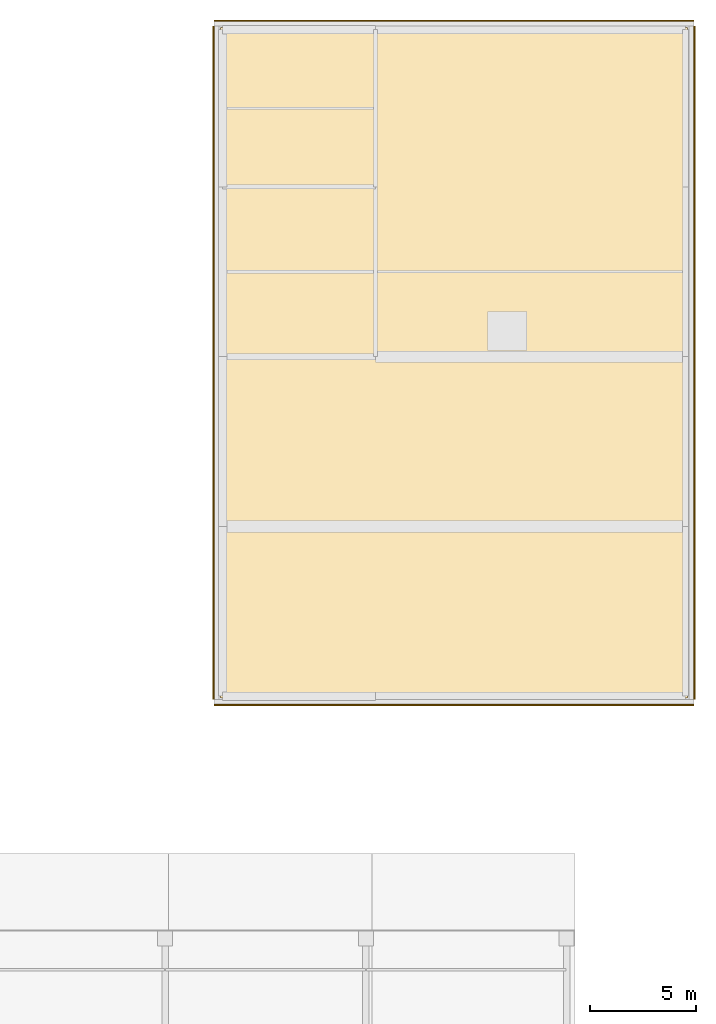
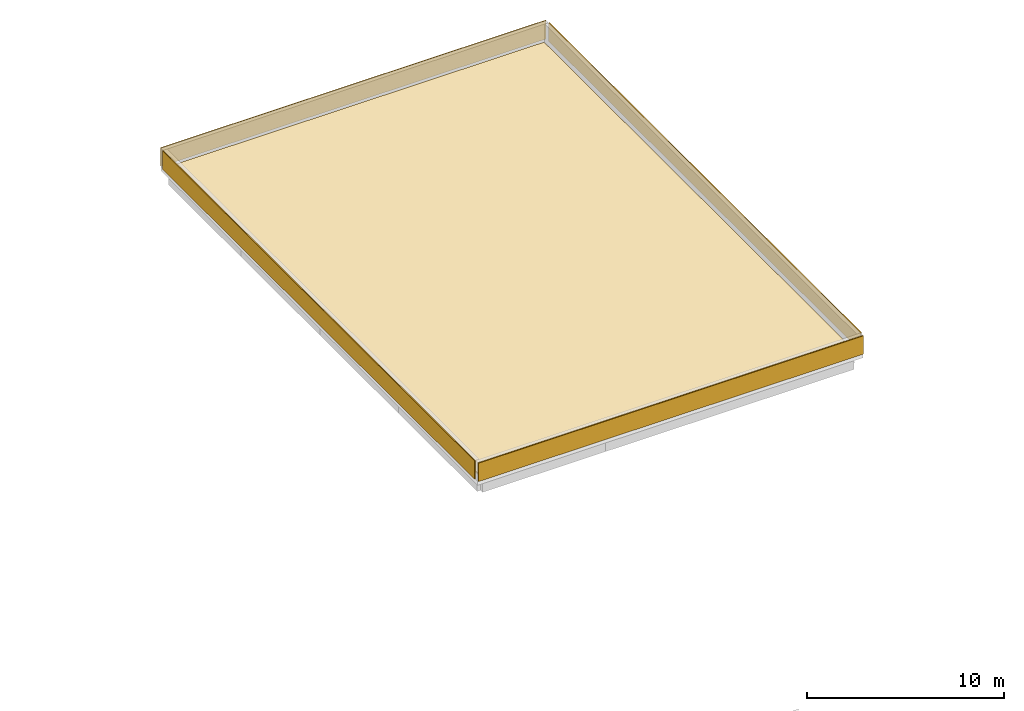
# One storey, part 3 of 3: 5 coverings.
"""IFC4 building model written with IfcOpenShell, lengths in metres."""

from ifc_helpers import new_model, si_unit, direction, frame, origin, origin_2d, place, context, subcontext, project, spatial, polyline, rectangle, outline, extrude, material, layer, layer_set, type_object, element, save


model = new_model("IFC4")

# Units and contexts
model_context = context("Model", 3, precision=1e-05, world=origin(), true_north=direction((0.0, 1.0)))
body_context = subcontext(model_context, "Body", "Model", "MODEL_VIEW")
ifc_project = project(units=[si_unit("LENGTHUNIT", "METRE"), si_unit("AREAUNIT", "SQUARE_METRE"), si_unit("VOLUMEUNIT", "CUBIC_METRE"), si_unit("PLANEANGLEUNIT", "RADIAN"), si_unit("MASSUNIT", "GRAM", prefix="KILO")], contexts=[model_context])

# Site, building, storey
site_placement = place(None, origin())
site = spatial("IfcSite", under=ifc_project, at=site_placement, CompositionType="ELEMENT")
building_placement = place(site_placement, origin())
building = spatial("IfcBuilding", under=site, at=building_placement, Name="Qalavern Law Courts", CompositionType="ELEMENT")
storey_placement = place(building_placement, frame((0.0, 0.0, 43.800048828125)))
storey = spatial("IfcBuildingStorey", under=building, at=storey_placement, Name="RF", CompositionType="ELEMENT", Elevation=43.800048828125)

# Coverings
ifc_material_1 = material(Name="Precast concrete C40/50", Category="concrete")
ifc_layer_1 = layer(ifc_material_1, 0.06005859375)
ifc_layer_set_1 = layer_set([ifc_layer_1], Name="Precast concrete C40/50")
covering_type_1 = type_object("IfcCoveringType", Name="ENV-CLD-1", PredefinedType="CLADDING", material=ifc_layer_set_1)
covering_1_placement = place(storey_placement, frame((95.5, 40.992919921875, 0.0048828125), z_axis=(0.0, 0.0, 1.0), x_axis=(1.0, 0.0, 0.0)))
element("IfcCovering", 1, at=covering_1_placement, inside=storey, type_object=covering_type_1, Name="V4 Absheron limestone parapet coping RF S", PredefinedType="CLADDING", context=body_context, shape_type="SweptSolid", body=[
    extrude(rectangle(XDim=22.580078125, YDim=0.06005859375, at=origin_2d()), origin(), (0.0, 0.0, 1.0), 1.139892578125),
])
covering_2_placement = place(storey_placement, frame((106.826904296875, 57.110107421875, 0.0048828125), z_axis=(0.0, 0.0, 1.0), x_axis=(0.0, 1.0, 0.0)))
element("IfcCovering", 2, at=covering_2_placement, inside=storey, type_object=covering_type_1, Name="V4 Absheron limestone parapet coping RF E", PredefinedType="CLADDING", context=body_context, shape_type="SweptSolid", body=[
    extrude(rectangle(XDim=31.68994140625, YDim=0.06005859375, at=origin_2d()), origin(), (0.0, 0.0, 1.0), 1.139892578125),
])
covering_3_placement = place(storey_placement, frame((95.5, 73.22705078125, 0.0048828125), z_axis=(0.0, 0.0, 1.0), x_axis=(-1.0, 0.0, 0.0)))
element("IfcCovering", 3, at=covering_3_placement, inside=storey, type_object=covering_type_1, Name="V4 Absheron limestone parapet coping RF N", PredefinedType="CLADDING", context=body_context, shape_type="SweptSolid", body=[
    extrude(rectangle(XDim=22.580078125, YDim=0.06005859375, at=origin_2d()), origin(), (0.0, 0.0, 1.0), 1.139892578125),
])
covering_4_placement = place(storey_placement, frame((84.173095703125, 57.110107421875, 0.0048828125), z_axis=(0.0, 0.0, 1.0), x_axis=(0.0, -1.0, 0.0)))
element("IfcCovering", 4, at=covering_4_placement, inside=storey, type_object=covering_type_1, Name="V4 Absheron limestone parapet coping RF W", PredefinedType="CLADDING", context=body_context, shape_type="SweptSolid", body=[
    extrude(rectangle(XDim=31.68994140625, YDim=0.06005859375, at=origin_2d()), origin(), (0.0, 0.0, 1.0), 1.139892578125),
])
ifc_material_2 = material(Name="EPDM waterproofing membrane and rigid thermal insulation")
ifc_layer_2 = layer(ifc_material_2, 0.090087890625)
ifc_layer_set_2 = layer_set([ifc_layer_2], Name="EPDM waterproofing membrane and rigid thermal insulation")
covering_type_2 = type_object("IfcCoveringType", Name="ENV-RFG-2", PredefinedType="ROOFING", material=ifc_layer_set_2)
covering_5_placement = place(storey_placement, origin())
element("IfcCovering", 5, at=covering_5_placement, inside=storey, type_object=covering_type_2, Name="V4 roof waterproofing and insulation RF", PredefinedType="ROOFING", context=body_context, shape_type="SweptSolid", body=[
    extrude(outline(polyline([(84.5, 41.320068359375), (106.5, 41.320068359375), (106.5, 72.89990234375), (84.5, 72.89990234375), (84.5, 41.320068359375)])), origin(), (0.0, 0.0, 1.0), 0.08984375),
])

save(model, "model.ifc")
